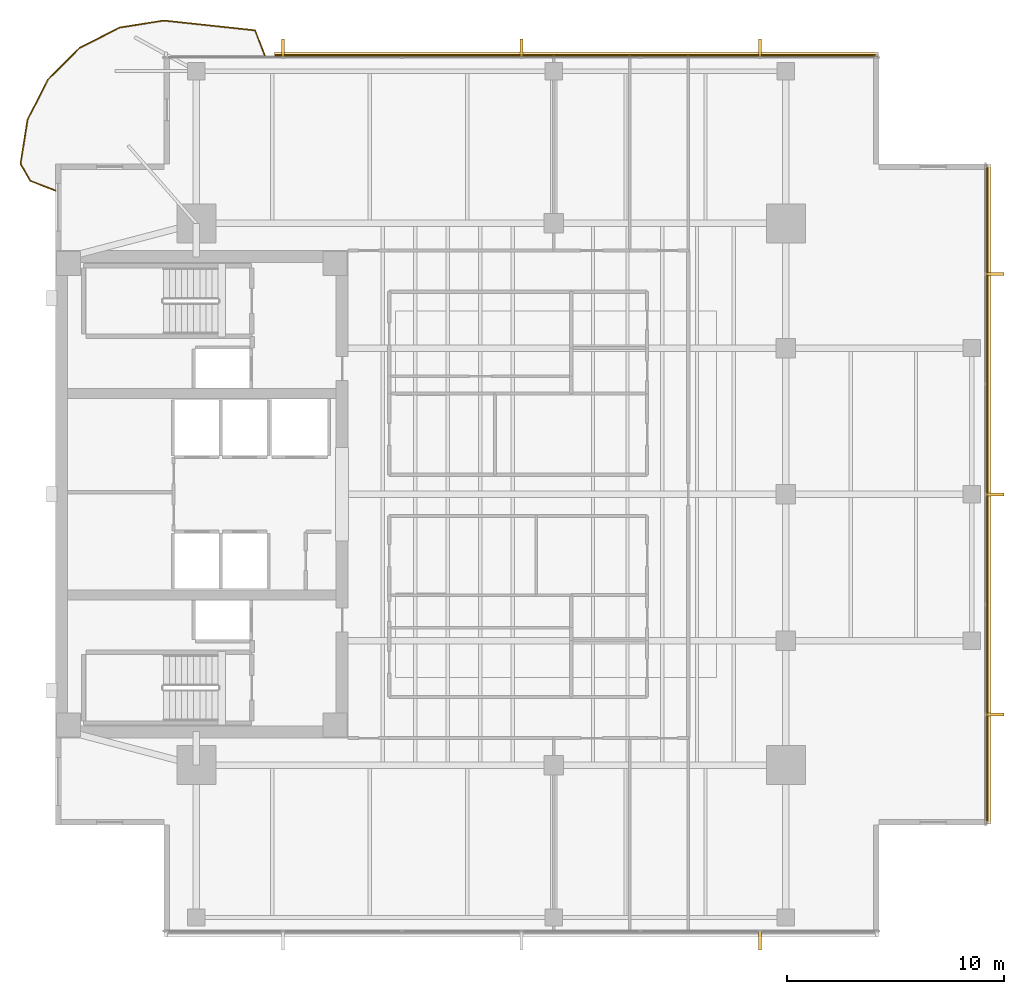
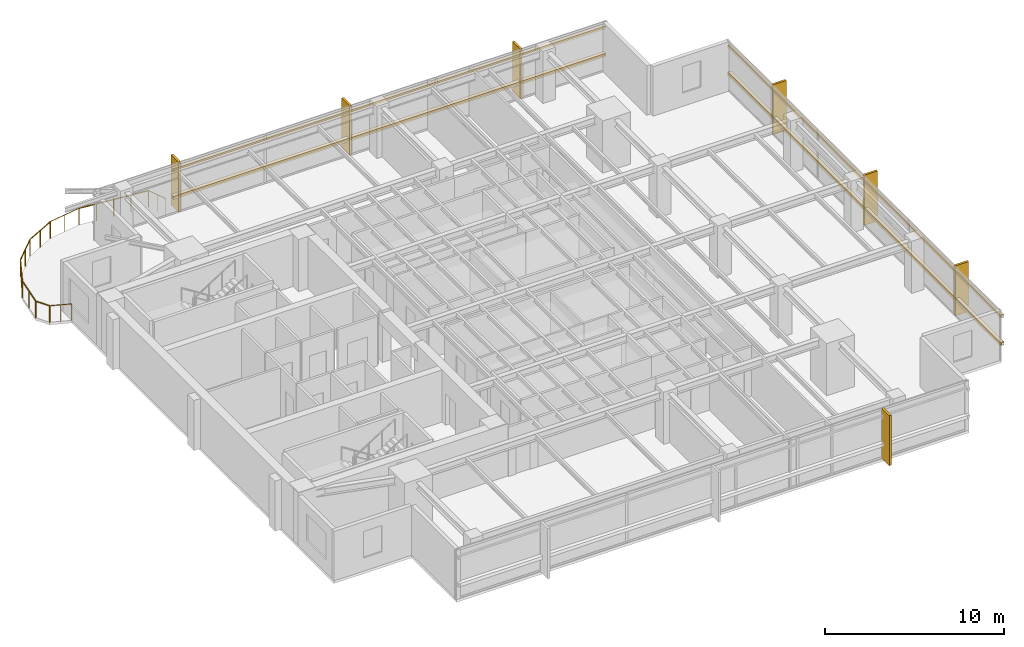
# One storey, part 14 of 14: 11 coverings, 9 railings, 4 shading devices.
"""IFC4 building model written with IfcOpenShell, lengths in metres."""

from ifc_helpers import new_model, si_unit, direction, frame, origin, origin_2d, place, context, subcontext, project, spatial, polyline, rectangle, circle, outline, extrude, material, layer, layer_set, material_profile, profile_set, type_object, element, save


model = new_model("IFC4")

# Units and contexts
model_context = context("Model", 3, precision=1e-05, world=origin(), true_north=direction((0.0, 1.0)))
body_context = subcontext(model_context, "Body", "Model", "MODEL_VIEW")
ifc_project = project(units=[si_unit("LENGTHUNIT", "METRE"), si_unit("AREAUNIT", "SQUARE_METRE"), si_unit("VOLUMEUNIT", "CUBIC_METRE"), si_unit("PLANEANGLEUNIT", "RADIAN"), si_unit("MASSUNIT", "GRAM", prefix="KILO")], contexts=[model_context])

# Site, building, storey
site_placement = place(None, origin())
site = spatial("IfcSite", under=ifc_project, at=site_placement, CompositionType="ELEMENT")
building_placement = place(site_placement, origin())
building = spatial("IfcBuilding", under=site, at=building_placement, Name="Kinhvarn Gate Tower", CompositionType="ELEMENT")
storey_placement = place(building_placement, frame((0.0, 0.0, 212.89990234375)))
storey = spatial("IfcBuildingStorey", under=building, at=storey_placement, Name="L56", CompositionType="ELEMENT", Elevation=212.89990234375)

# Coverings
ifc_material_1 = material(Name="Fired architectural terracotta", Category="masonry")
ifc_layer_1 = layer(ifc_material_1, 0.239990234375)
ifc_layer_set_1 = layer_set([ifc_layer_1], Name="Fired architectural terracotta")
covering_type_1 = type_object("IfcCoveringType", Name="COV-BAG-220", PredefinedType="CLADDING", material=ifc_layer_set_1)
for number, where, name in (
    (1, (0.0, 0.0, 0.940185546875), "Terracotta Horizontal Sunscreen Band TBG-220 (L56)"),
    (2, (0.0, 0.0, 2.81005859375), "Terracotta Horizontal Sunscreen Band TBG-220 (L56)"),
):
    element("IfcCovering", number, at=place(storey_placement, frame(where)), inside=storey, type_object=covering_type_1, Name=name, PredefinedType="CLADDING", context=body_context, shape_type="SweptSolid", body=[
        extrude(outline(polyline([(42.4599609375, 45.429931640625), (14.610107421875, 45.429931640625), (14.610107421875, 45.669921875), (42.4599609375, 45.669921875), (42.4599609375, 45.429931640625)])), origin(), (0.0, 0.0, 1.0), 0.219970703125),
    ])
for number, where, name in (
    (3, (0.0, 0.0, 0.940185546875), "Terracotta Horizontal Sunscreen Band TBG-220 (L56)"),
    (4, (0.0, 0.0, 2.81005859375), "Terracotta Horizontal Sunscreen Band TBG-220 (L56)"),
):
    element("IfcCovering", number, at=place(storey_placement, frame(where)), inside=storey, type_object=covering_type_1, Name=name, PredefinedType="CLADDING", context=body_context, shape_type="SweptSolid", body=[
        extrude(outline(polyline([(47.429931640625, 10.0400390625), (47.429931640625, 40.4599609375), (47.669921875, 40.4599609375), (47.669921875, 10.0400390625), (47.429931640625, 10.0400390625)])), origin(), (0.0, 0.0, 1.0), 0.219970703125),
    ])
ifc_layer_2 = layer(ifc_material_1, 0.139892578125)
ifc_layer_set_2 = layer_set([ifc_layer_2], Name="Fired architectural terracotta")
covering_type_2 = type_object("IfcCoveringType", Name="COV-FIN-850", PredefinedType="CLADDING", material=ifc_layer_set_2)
covering_1_placement = place(storey_placement, frame((0.0, 0.0, -0.02001953125)))
element("IfcCovering", 5, at=covering_1_placement, inside=storey, type_object=covering_type_2, Name="Vertical Terracotta Expressive Fin TFN-850 (L56)", PredefinedType="CLADDING", context=body_context, shape_type="SweptSolid", body=[
    extrude(outline(polyline([(36.929931640625, 5.080078125), (37.070068359375, 5.080078125), (37.070068359375, 4.22998046875), (36.929931640625, 4.22998046875), (36.929931640625, 5.080078125)])), origin(), (0.0, 0.0, 1.0), 3.41015625),
])
covering_2_placement = place(storey_placement, frame((0.0, 0.0, -0.02001953125)))
element("IfcCovering", 6, at=covering_2_placement, inside=storey, type_object=covering_type_2, Name="Vertical Terracotta Expressive Fin TFN-850 (L56)", PredefinedType="CLADDING", context=body_context, shape_type="SweptSolid", body=[
    extrude(outline(polyline([(37.070068359375, 45.419921875), (36.929931640625, 45.419921875), (36.929931640625, 46.27001953125), (37.070068359375, 46.27001953125), (37.070068359375, 45.419921875)])), origin(), (0.0, 0.0, 1.0), 3.41015625),
])
covering_3_placement = place(storey_placement, frame((0.0, 0.0, -0.02001953125)))
element("IfcCovering", 7, at=covering_3_placement, inside=storey, type_object=covering_type_2, Name="Vertical Terracotta Expressive Fin TFN-850 (L56)", PredefinedType="CLADDING", context=body_context, shape_type="SweptSolid", body=[
    extrude(outline(polyline([(26.070068359375, 45.419921875), (25.929931640625, 45.419921875), (25.929931640625, 46.27001953125), (26.070068359375, 46.27001953125), (26.070068359375, 45.419921875)])), origin(), (0.0, 0.0, 1.0), 3.41015625),
])
covering_4_placement = place(storey_placement, frame((0.0, 0.0, -0.02001953125)))
element("IfcCovering", 8, at=covering_4_placement, inside=storey, type_object=covering_type_2, Name="Vertical Terracotta Expressive Fin TFN-850 (L56)", PredefinedType="CLADDING", context=body_context, shape_type="SweptSolid", body=[
    extrude(outline(polyline([(15.070068359375, 45.419921875), (14.929931640625, 45.419921875), (14.929931640625, 46.27001953125), (15.070068359375, 46.27001953125), (15.070068359375, 45.419921875)])), origin(), (0.0, 0.0, 1.0), 3.41015625),
])
covering_5_placement = place(storey_placement, frame((0.0, 0.0, -0.02001953125)))
element("IfcCovering", 9, at=covering_5_placement, inside=storey, type_object=covering_type_2, Name="Vertical Terracotta Expressive Fin TFN-850 (L56)", PredefinedType="CLADDING", context=body_context, shape_type="SweptSolid", body=[
    extrude(outline(polyline([(47.419921875, 15.01318359375), (47.419921875, 15.1533203125), (48.27001953125, 15.1533203125), (48.27001953125, 15.01318359375), (47.419921875, 15.01318359375)])), origin(), (0.0, 0.0, 1.0), 3.41015625),
])
covering_6_placement = place(storey_placement, frame((0.0, 0.0, -0.02001953125)))
element("IfcCovering", 10, at=covering_6_placement, inside=storey, type_object=covering_type_2, Name="Vertical Terracotta Expressive Fin TFN-850 (L56)", PredefinedType="CLADDING", context=body_context, shape_type="SweptSolid", body=[
    extrude(outline(polyline([(47.419921875, 25.179931640625), (47.419921875, 25.320068359375), (48.27001953125, 25.320068359375), (48.27001953125, 25.179931640625), (47.419921875, 25.179931640625)])), origin(), (0.0, 0.0, 1.0), 3.41015625),
])
covering_7_placement = place(storey_placement, frame((0.0, 0.0, -0.02001953125)))
element("IfcCovering", 11, at=covering_7_placement, inside=storey, type_object=covering_type_2, Name="Vertical Terracotta Expressive Fin TFN-850 (L56)", PredefinedType="CLADDING", context=body_context, shape_type="SweptSolid", body=[
    extrude(outline(polyline([(47.419921875, 35.3466796875), (47.419921875, 35.48681640625), (48.27001953125, 35.48681640625), (48.27001953125, 35.3466796875), (47.419921875, 35.3466796875)])), origin(), (0.0, 0.0, 1.0), 3.41015625),
])

# Railings
ifc_material_2 = material(Name="Clear low-e double glazing", Category="glass")
railing_type = type_object("IfcRailingType", Name="RL-BAL-1150", PredefinedType="BALUSTRADE", material=ifc_material_2)
railing_1_placement = place(storey_placement, frame((14.159912109375, 45.5, 0.0)))
element("IfcRailing", 12, at=railing_1_placement, inside=storey, type_object=railing_type, Name="S-Carve Balcony Guardrail Seg 1 (L56)", PredefinedType="BALUSTRADE", context=body_context, shape_type="SweptSolid", body=[
    extrude(circle(Radius=0.02392578125, at=origin_2d()), frame((0.0, 0.0, 1.1259765625), z_axis=(-0.361065551705, 0.932540437392, 0.0), x_axis=(-0.932540437392, -0.361065551705, 0.0)), (0.0, 0.0, 1.0), 1.24609375),
    extrude(circle(Radius=0.02099609375, at=origin_2d()), origin(), (0.0, 0.0, 1.0), 1.101806640625),
    extrude(circle(Radius=0.02099609375, at=origin_2d()), frame((-0.22509765625, 0.5810546875, 0.0)), (0.0, 0.0, 1.0), 1.101806640625),
    extrude(circle(Radius=0.02099609375, at=origin_2d()), frame((-0.449951171875, 1.162109375, 0.0)), (0.0, 0.0, 1.0), 1.101806640625),
])
railing_2_placement = place(storey_placement, frame((13.7099609375, 46.662109375, 0.0)))
element("IfcRailing", 13, at=railing_2_placement, inside=storey, type_object=railing_type, Name="S-Carve Balcony Guardrail Seg 2 (L56)", PredefinedType="BALUSTRADE", context=body_context, shape_type="SweptSolid", body=[
    extrude(circle(Radius=0.02392578125, at=origin_2d()), frame((0.0, 0.0, 1.1259765625), z_axis=(-0.994288193896, 0.106728569178, 0.0), x_axis=(-0.106728569178, -0.994288193896, 0.0)), (0.0, 0.0, 1.0), 4.234130859375),
    extrude(circle(Radius=0.02099609375, at=origin_2d()), origin(), (0.0, 0.0, 1.0), 1.101806640625),
    extrude(circle(Radius=0.02099609375, at=origin_2d()), frame((-1.052490234375, 0.113037109375, 0.0)), (0.0, 0.0, 1.0), 1.101806640625),
    extrude(circle(Radius=0.02099609375, at=origin_2d()), frame((-2.10498046875, 0.22607421875, 0.0)), (0.0, 0.0, 1.0), 1.101806640625),
    extrude(circle(Radius=0.02099609375, at=origin_2d()), frame((-3.157470703125, 0.3388671875, 0.0)), (0.0, 0.0, 1.0), 1.101806640625),
    extrude(circle(Radius=0.02099609375, at=origin_2d()), frame((-4.2099609375, 0.451904296875, 0.0)), (0.0, 0.0, 1.0), 1.101806640625),
])
railing_3_placement = place(storey_placement, frame((9.5, 47.114013671875, 0.0)))
element("IfcRailing", 14, at=railing_3_placement, inside=storey, type_object=railing_type, Name="S-Carve Balcony Guardrail Seg 3 (L56)", PredefinedType="BALUSTRADE", context=body_context, shape_type="SweptSolid", body=[
    extrude(circle(Radius=0.02392578125, at=origin_2d()), frame((0.0, 0.0, 1.1259765625), z_axis=(-0.987685353381, -0.156453324404, 0.0), x_axis=(0.156453324404, -0.987685353381, 0.0)), (0.0, 0.0, 1.0), 2.069091796875),
    extrude(circle(Radius=0.02099609375, at=origin_2d()), origin(), (0.0, 0.0, 1.0), 1.101806640625),
    extrude(circle(Radius=0.02099609375, at=origin_2d()), frame((-1.02197265625, -0.161865234375, 0.0)), (0.0, 0.0, 1.0), 1.101806640625),
    extrude(circle(Radius=0.02099609375, at=origin_2d()), frame((-2.043701171875, -0.32373046875, 0.0)), (0.0, 0.0, 1.0), 1.101806640625),
])
railing_4_placement = place(storey_placement, frame((7.456298828125, 46.790283203125, 0.0)))
element("IfcRailing", 15, at=railing_4_placement, inside=storey, type_object=railing_type, Name="S-Carve Balcony Guardrail Seg 4 (L56)", PredefinedType="BALUSTRADE", context=body_context, shape_type="SweptSolid", body=[
    extrude(circle(Radius=0.02392578125, at=origin_2d()), frame((0.0, 0.0, 1.1259765625), z_axis=(-0.89102779292, -0.453948755085, 0.0), x_axis=(0.453948755085, -0.89102779292, 0.0)), (0.0, 0.0, 1.0), 2.069580078125),
    extrude(circle(Radius=0.02099609375, at=origin_2d()), origin(), (0.0, 0.0, 1.0), 1.101806640625),
    extrude(circle(Radius=0.02099609375, at=origin_2d()), frame((-0.921875, -0.4697265625, 0.0)), (0.0, 0.0, 1.0), 1.101806640625),
    extrude(circle(Radius=0.02099609375, at=origin_2d()), frame((-1.843994140625, -0.939453125, 0.0)), (0.0, 0.0, 1.0), 1.101806640625),
])
railing_5_placement = place(storey_placement, frame((5.6123046875, 45.850830078125, 0.0)))
element("IfcRailing", 16, at=railing_5_placement, inside=storey, type_object=railing_type, Name="S-Carve Balcony Guardrail Seg 5 (L56)", PredefinedType="BALUSTRADE", context=body_context, shape_type="SweptSolid", body=[
    extrude(circle(Radius=0.02392578125, at=origin_2d()), frame((0.0, 0.0, 1.1259765625), z_axis=(-0.707106781187, -0.707106781187, 0.0), x_axis=(0.707106781187, -0.707106781187, 0.0)), (0.0, 0.0, 1.0), 2.069091796875),
    extrude(circle(Radius=0.02099609375, at=origin_2d()), origin(), (0.0, 0.0, 1.0), 1.101806640625),
    extrude(circle(Radius=0.02099609375, at=origin_2d()), frame((-0.7314453125, -0.7314453125, 0.0)), (0.0, 0.0, 1.0), 1.101806640625),
    extrude(circle(Radius=0.02099609375, at=origin_2d()), frame((-1.463134765625, -1.463134765625, 0.0)), (0.0, 0.0, 1.0), 1.101806640625),
])
railing_6_placement = place(storey_placement, frame((4.149169921875, 44.3876953125, 0.0)))
element("IfcRailing", 17, at=railing_6_placement, inside=storey, type_object=railing_type, Name="S-Carve Balcony Guardrail Seg 6 (L56)", PredefinedType="BALUSTRADE", context=body_context, shape_type="SweptSolid", body=[
    extrude(circle(Radius=0.02392578125, at=origin_2d()), frame((0.0, 0.0, 1.1259765625), z_axis=(-0.453948755085, -0.89102779292, 0.0), x_axis=(0.89102779292, -0.453948755085, 0.0)), (0.0, 0.0, 1.0), 2.069580078125),
    extrude(circle(Radius=0.02099609375, at=origin_2d()), origin(), (0.0, 0.0, 1.0), 1.101806640625),
    extrude(circle(Radius=0.02099609375, at=origin_2d()), frame((-0.4697265625, -0.921875, 0.0)), (0.0, 0.0, 1.0), 1.101806640625),
    extrude(circle(Radius=0.02099609375, at=origin_2d()), frame((-0.939453125, -1.843994140625, 0.0)), (0.0, 0.0, 1.0), 1.101806640625),
])
railing_7_placement = place(storey_placement, frame((3.209716796875, 42.543701171875, 0.0)))
element("IfcRailing", 18, at=railing_7_placement, inside=storey, type_object=railing_type, Name="S-Carve Balcony Guardrail Seg 7 (L56)", PredefinedType="BALUSTRADE", context=body_context, shape_type="SweptSolid", body=[
    extrude(circle(Radius=0.02392578125, at=origin_2d()), frame((0.0, 0.0, 1.1259765625), z_axis=(-0.156453324404, -0.987685353381, 0.0), x_axis=(0.987685353381, -0.156453324404, 0.0)), (0.0, 0.0, 1.0), 2.069091796875),
    extrude(circle(Radius=0.02099609375, at=origin_2d()), origin(), (0.0, 0.0, 1.0), 1.101806640625),
    extrude(circle(Radius=0.02099609375, at=origin_2d()), frame((-0.161865234375, -1.02197265625, 0.0)), (0.0, 0.0, 1.0), 1.101806640625),
    extrude(circle(Radius=0.02099609375, at=origin_2d()), frame((-0.32373046875, -2.043701171875, 0.0)), (0.0, 0.0, 1.0), 1.101806640625),
])
railing_8_placement = place(storey_placement, frame((2.885986328125, 40.5, 0.0)))
element("IfcRailing", 19, at=railing_8_placement, inside=storey, type_object=railing_type, Name="S-Carve Balcony Guardrail Seg 8 (L56)", PredefinedType="BALUSTRADE", context=body_context, shape_type="SweptSolid", body=[
    extrude(circle(Radius=0.02392578125, at=origin_2d()), frame((0.0, 0.0, 1.1259765625), z_axis=(0.498952175273, -0.86662952107, 0.0), x_axis=(0.86662952107, 0.498952175273, 0.0)), (0.0, 0.0, 1.0), 0.90576171875),
    extrude(circle(Radius=0.02099609375, at=origin_2d()), origin(), (0.0, 0.0, 1.0), 1.101806640625),
    extrude(circle(Radius=0.02099609375, at=origin_2d()), frame((0.451904296875, -0.784912109375, 0.0)), (0.0, 0.0, 1.0), 1.101806640625),
])
railing_9_placement = place(storey_placement, frame((3.337890625, 39.715087890625, 0.0)))
element("IfcRailing", 20, at=railing_9_placement, inside=storey, type_object=railing_type, Name="S-Carve Balcony Guardrail Seg 9 (L56)", PredefinedType="BALUSTRADE", context=body_context, shape_type="SweptSolid", body=[
    extrude(circle(Radius=0.02392578125, at=origin_2d()), frame((0.0, 0.0, 1.1259765625), z_axis=(0.932474461365, -0.361235904781, 0.0), x_axis=(0.361235904781, 0.932474461365, 0.0)), (0.0, 0.0, 1.0), 1.246337890625),
    extrude(circle(Radius=0.02099609375, at=origin_2d()), origin(), (0.0, 0.0, 1.0), 1.101806640625),
    extrude(circle(Radius=0.02099609375, at=origin_2d()), frame((0.5810546875, -0.22509765625, 0.0)), (0.0, 0.0, 1.0), 1.101806640625),
    extrude(circle(Radius=0.02099609375, at=origin_2d()), frame((1.162109375, -0.4501953125, 0.0)), (0.0, 0.0, 1.0), 1.101806640625),
])

# Shading devices
ifc_material_profile = material_profile(ifc_material_1, rectangle(XDim=0.050048828125, YDim=0.1201171875, at=origin_2d()), Name="TC 50x120")
ifc_profile_set = profile_set([ifc_material_profile], Name="Fired architectural terracotta")
shading_device_type = type_object("IfcShadingDeviceType", Name="SHD-BAG-140", PredefinedType="USERDEFINED", material=ifc_profile_set)
for number, where, z_axis, x_axis, name in (
    (21, (42.4599609375, 45.5, 1.050048828125), (-1.0, 0.0, 0.0), (0.0, -1.0, 0.0), "Upper Tower Terracotta Baguette Screen Rod 50x120 mm (L56)"),
    (22, (42.4599609375, 45.5, 2.920166015625), (-1.0, 0.0, 0.0), (0.0, -1.0, 0.0), "Upper Tower Terracotta Baguette Screen Rod 50x120 mm (L56)"),
):
    element("IfcShadingDevice", number, at=place(storey_placement, frame(where, z_axis=z_axis, x_axis=x_axis)), inside=storey, type_object=shading_device_type, Name=name, ObjectType="BAGUETTE", PredefinedType="USERDEFINED", context=body_context, shape_type="SweptSolid", body=[
        extrude(rectangle(XDim=0.050048828125, YDim=0.1201171875, at=origin_2d()), origin(), (0.0, 0.0, 1.0), 27.849853515625),
    ])
for number, where, z_axis, x_axis, name in (
    (23, (47.5, 10.0400390625, 1.050048828125), (0.0, 1.0, 0.0), (-1.0, 0.0, 0.0), "Upper Tower Terracotta Baguette Screen Rod 50x120 mm (L56)"),
    (24, (47.5, 10.0400390625, 2.920166015625), (0.0, 1.0, 0.0), (-1.0, 0.0, 0.0), "Upper Tower Terracotta Baguette Screen Rod 50x120 mm (L56)"),
):
    element("IfcShadingDevice", number, at=place(storey_placement, frame(where, z_axis=z_axis, x_axis=x_axis)), inside=storey, type_object=shading_device_type, Name=name, ObjectType="BAGUETTE", PredefinedType="USERDEFINED", context=body_context, shape_type="SweptSolid", body=[
        extrude(rectangle(XDim=0.050048828125, YDim=0.1201171875, at=origin_2d()), origin(), (0.0, 0.0, 1.0), 30.419921875),
    ])

save(model, "model.ifc")
